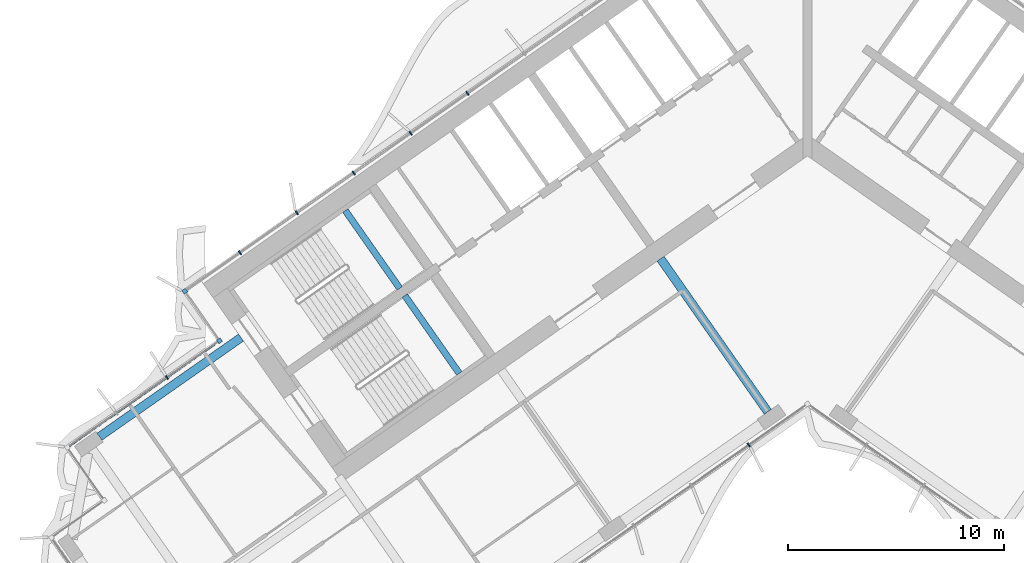
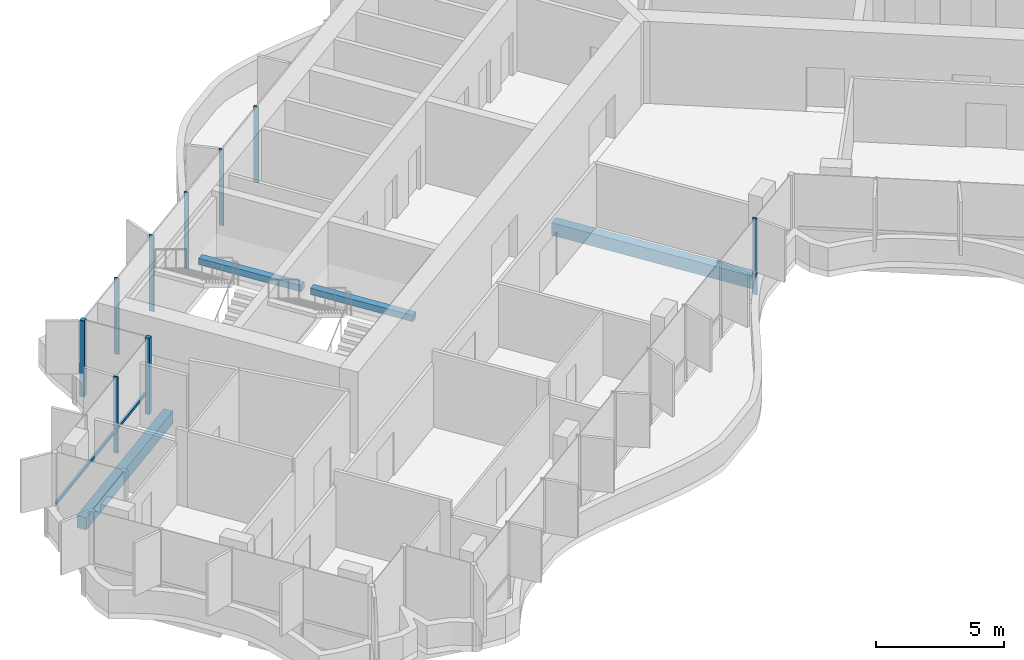
# One storey, part 4 of 21: 10 members, 4 beams, 2 elements without a shape of their own.
"""IFC4 building model written with IfcOpenShell, lengths in metres."""

from ifc_helpers import new_model, si_unit, direction, frame, origin, origin_2d, place, context, subcontext, project, spatial, rectangle, extrude, material, material_profile, profile_set, type_object, element, aggregate, save


model = new_model("IFC4")

# Units and contexts
model_context = context("Model", 3, precision=1e-05, world=origin(), true_north=direction((0.0, 1.0)))
body_context = subcontext(model_context, "Body", "Model", "MODEL_VIEW")
ifc_project = project(units=[si_unit("LENGTHUNIT", "METRE"), si_unit("AREAUNIT", "SQUARE_METRE"), si_unit("VOLUMEUNIT", "CUBIC_METRE"), si_unit("PLANEANGLEUNIT", "RADIAN"), si_unit("MASSUNIT", "GRAM", prefix="KILO")], contexts=[model_context])

# Site, building, storey
site_placement = place(None, origin())
site = spatial("IfcSite", under=ifc_project, at=site_placement, CompositionType="ELEMENT")
building_placement = place(site_placement, origin())
building = spatial("IfcBuilding", under=site, at=building_placement, Name="Tel Ilan Convention Tower", CompositionType="ELEMENT")
storey_placement = place(building_placement, frame((0.0, 0.0, 210.0)))
storey = spatial("IfcBuildingStorey", under=building, at=storey_placement, Name="L49", CompositionType="ELEMENT", Elevation=210.0)

# Beams
ifc_material_1 = material(Name="Concrete C40/50", Category="concrete")
ifc_material_profile_1 = material_profile(ifc_material_1, rectangle(XDim=0.39990234375, YDim=0.60009765625, at=origin_2d()), Name="RC 400x600")
ifc_profile_set_1 = profile_set([ifc_material_profile_1], Name="Concrete C40/50")
beam_type_1 = type_object("IfcBeamType", Name="Beam RC 400x600 Concrete C40/50", PredefinedType="BEAM", material=ifc_profile_set_1)
beam_1_placement = place(storey_placement, frame((-32.771484375, -14.21826171875, -0.580078125), z_axis=(0.819151624752, 0.573577035512, 0.0), x_axis=(-0.573577035512, 0.819151624752, 0.0)))
element("IfcBeam", 1, at=beam_1_placement, inside=storey, type_object=beam_type_1, Name="L49 beam W-W-BC-core", PredefinedType="BEAM", context=body_context, shape_type="SweptSolid", body=[
    extrude(rectangle(XDim=0.39990234375, YDim=0.60009765625, at=origin_2d()), origin(), (0.0, 0.0, 1.0), 8.0),
])
beam_2_placement = place(storey_placement, frame((-1.83740234375, -13.06689453125, -0.580078125), z_axis=(-0.573574099654, 0.819153680457, 0.0), x_axis=(-0.819153680457, -0.573574099654, 0.0)))
element("IfcBeam", 2, at=beam_2_placement, inside=storey, type_object=beam_type_1, Name="L49 beam W-W-F1-core", PredefinedType="BEAM", context=body_context, shape_type="SweptSolid", body=[
    extrude(rectangle(XDim=0.39990234375, YDim=0.60009765625, at=origin_2d()), origin(), (0.0, 0.0, 1.0), 8.64990234375),
])

# Curtain wall, members
ifc_material_2 = material(Name="Aluminium, bronze anodised", Category="aluminium")
curtain_wall_type_1 = type_object("IfcCurtainWallType", Name="CW2 STICK CURTAIN WALL, SPANDREL PANELS", PredefinedType="NOTDEFINED", material=ifc_material_2)
curtain_wall_1_placement = place(storey_placement, origin())
curtain_wall_1 = element("IfcCurtainWall", 3, at=curtain_wall_1_placement, inside=storey, type_object=curtain_wall_type_1, Name="Curtain wall CW2-38.01", PredefinedType="NOTDEFINED")
ifc_material_3 = material(Name="Aluminium, bronze anodised", Category="aluminium")
ifc_material_profile_2 = material_profile(ifc_material_3, rectangle(XDim=0.199951171875, YDim=0.199951171875, at=origin_2d()), Name="CW CORNER MULLION 200x200")
ifc_profile_set_2 = profile_set([ifc_material_profile_2], Name="Aluminium, bronze anodised")
member_type_1 = type_object("IfcMemberType", Name="CW CORNER MULLION 200x200", PredefinedType="MULLION", material=ifc_profile_set_2)
member_1_placement = place(storey_placement, frame((-28.819580078125, -7.483642578125, 0.0), z_axis=(0.0, 0.0, 1.0), x_axis=(-0.819152044289, -0.573576436351, 0.0)))
member_1 = element("IfcMember", 4, at=member_1_placement, type_object=member_type_1, Name="Corner mullion", PredefinedType="MULLION", context=body_context, shape_type="SweptSolid", body=[
    extrude(rectangle(XDim=0.199951171875, YDim=0.199951171875, at=origin_2d()), origin(), (0.0, 0.0, 1.0), 3.6201171875),
])
member_2_placement = place(storey_placement, frame((-27.213623046875, -9.77734375, 0.0), z_axis=(0.0, 0.0, 1.0), x_axis=(0.573576436351, -0.819152044289, 0.0)))
member_2 = element("IfcMember", 5, at=member_2_placement, type_object=member_type_1, Name="Corner mullion", PredefinedType="MULLION", context=body_context, shape_type="SweptSolid", body=[
    extrude(rectangle(XDim=0.199951171875, YDim=0.199951171875, at=origin_2d()), origin(), (0.0, 0.0, 1.0), 3.6201171875),
])
ifc_material_4 = material(Name="Aluminium, bronze anodised", Category="aluminium")
ifc_material_profile_3 = material_profile(ifc_material_4, rectangle(XDim=0.06005859375, YDim=0.199951171875, at=origin_2d()), Name="CW MULLION 60x200")
ifc_profile_set_3 = profile_set([ifc_material_profile_3], Name="Aluminium, bronze anodised")
member_type_2 = type_object("IfcMemberType", Name="CW MULLION 60x200", PredefinedType="MULLION", material=ifc_profile_set_3)
member_3_placement = place(storey_placement, frame((-15.73828125, 1.676025390625, 0.0), z_axis=(0.0, 0.0, 1.0), x_axis=(-0.819152044289, -0.573576436351, 0.0)))
member_3 = element("IfcMember", 6, at=member_3_placement, type_object=member_type_2, Name="Mullion", PredefinedType="MULLION", context=body_context, shape_type="SweptSolid", body=[
    extrude(rectangle(XDim=0.06005859375, YDim=0.199951171875, at=origin_2d()), origin(), (0.0, 0.0, 1.0), 3.6201171875),
])
member_4_placement = place(storey_placement, frame((-18.37109375, -0.16748046875, 0.0), z_axis=(0.0, 0.0, 1.0), x_axis=(-0.819152044289, -0.573576436351, 0.0)))
member_4 = element("IfcMember", 7, at=member_4_placement, type_object=member_type_2, Name="Mullion", PredefinedType="MULLION", context=body_context, shape_type="SweptSolid", body=[
    extrude(rectangle(XDim=0.06005859375, YDim=0.199951171875, at=origin_2d()), origin(), (0.0, 0.0, 1.0), 3.6201171875),
])
member_5_placement = place(storey_placement, frame((-21.003662109375, -2.0107421875, 0.0), z_axis=(0.0, 0.0, 1.0), x_axis=(-0.819152044289, -0.573576436351, 0.0)))
member_5 = element("IfcMember", 8, at=member_5_placement, type_object=member_type_2, Name="Mullion", PredefinedType="MULLION", context=body_context, shape_type="SweptSolid", body=[
    extrude(rectangle(XDim=0.06005859375, YDim=0.199951171875, at=origin_2d()), origin(), (0.0, 0.0, 1.0), 3.6201171875),
])
member_6_placement = place(storey_placement, frame((-23.63623046875, -3.854248046875, 0.0), z_axis=(0.0, 0.0, 1.0), x_axis=(-0.819152044289, -0.573576436351, 0.0)))
member_6 = element("IfcMember", 9, at=member_6_placement, type_object=member_type_2, Name="Mullion", PredefinedType="MULLION", context=body_context, shape_type="SweptSolid", body=[
    extrude(rectangle(XDim=0.06005859375, YDim=0.199951171875, at=origin_2d()), origin(), (0.0, 0.0, 1.0), 3.6201171875),
])
member_7_placement = place(storey_placement, frame((-26.268798828125, -5.697509765625, 0.0), z_axis=(0.0, 0.0, 1.0), x_axis=(-0.819152044289, -0.573576436351, 0.0)))
member_7 = element("IfcMember", 10, at=member_7_placement, type_object=member_type_2, Name="Mullion", PredefinedType="MULLION", context=body_context, shape_type="SweptSolid", body=[
    extrude(rectangle(XDim=0.06005859375, YDim=0.199951171875, at=origin_2d()), origin(), (0.0, 0.0, 1.0), 3.6201171875),
])
aggregate(curtain_wall_1, [member_3, member_4, member_5, member_6, member_7, member_1, member_2])

ifc_material_5 = material(Name="Aluminium, bronze anodised", Category="aluminium")
curtain_wall_type_2 = type_object("IfcCurtainWallType", Name="CW4 STICK CURTAIN WALL, OFFICE TINTED GLASS", PredefinedType="NOTDEFINED", material=ifc_material_5)
curtain_wall_2_placement = place(storey_placement, origin())
curtain_wall_2 = element("IfcCurtainWall", 11, at=curtain_wall_2_placement, inside=storey, type_object=curtain_wall_type_2, Name="Curtain wall CW4-38.02", PredefinedType="NOTDEFINED")
member_8_placement = place(storey_placement, frame((-29.6435546875, -11.478759765625, 0.0), z_axis=(0.0, 0.0, 1.0), x_axis=(-0.819152044289, -0.573576436351, 0.0)))
member_8 = element("IfcMember", 12, at=member_8_placement, type_object=member_type_2, Name="Mullion", PredefinedType="MULLION", context=body_context, shape_type="SweptSolid", body=[
    extrude(rectangle(XDim=0.06005859375, YDim=0.199951171875, at=origin_2d()), origin(), (0.0, 0.0, 1.0), 3.6201171875),
])
member_9_placement = place(storey_placement, frame((-2.719482421875, -14.60009765625, 0.0), z_axis=(0.0, 0.0, 1.0), x_axis=(0.819152044289, 0.573576436351, 0.0)))
member_9 = element("IfcMember", 13, at=member_9_placement, type_object=member_type_2, Name="Mullion", PredefinedType="MULLION", context=body_context, shape_type="SweptSolid", body=[
    extrude(rectangle(XDim=0.06005859375, YDim=0.199951171875, at=origin_2d()), origin(), (0.0, 0.0, 1.0), 3.6201171875),
])
ifc_material_6 = material(Name="Aluminium, bronze anodised", Category="aluminium")
ifc_material_profile_4 = material_profile(ifc_material_6, rectangle(XDim=0.10009765625, YDim=0.1201171875, at=origin_2d()), Name="CW TRANSOM 100x120")
ifc_profile_set_4 = profile_set([ifc_material_profile_4], Name="Aluminium, bronze anodised")
member_type_3 = type_object("IfcMemberType", Name="CW TRANSOM 100x120", PredefinedType="USERDEFINED", material=ifc_profile_set_4)
member_10_placement = place(storey_placement, frame((-27.459228515625, -9.94921875, 1.10009765625), z_axis=(-0.819149386388, -0.573580232209, 0.0), x_axis=(0.573580232209, -0.819149386388, 0.0)))
member_10 = element("IfcMember", 14, at=member_10_placement, type_object=member_type_3, Name="Transom", ObjectType="TRANSOM", PredefinedType="USERDEFINED", context=body_context, shape_type="SweptSolid", body=[
    extrude(rectangle(XDim=0.10009765625, YDim=0.1201171875, at=origin_2d()), origin(), (0.0, 0.0, 1.0), 8.199951171875),
])
aggregate(curtain_wall_2, [member_8, member_10, member_9])

# Beams
ifc_material_7 = material(Name="Concrete C40/50", Category="concrete")
ifc_material_profile_5 = material_profile(ifc_material_7, rectangle(XDim=0.300048828125, YDim=0.300048828125, at=origin_2d()), Name="RC 300x300")
ifc_profile_set_5 = profile_set([ifc_material_profile_5], Name="Concrete C40/50")
beam_type_2 = type_object("IfcBeamType", Name="Landing Beam RC 300x300 Concrete C40/50", PredefinedType="BEAM", material=ifc_profile_set_5)
beam_3_placement = place(storey_placement, frame((-18.870361328125, -7.353515625, 1.60009765625), z_axis=(-0.57354426506, 0.819174569928, 0.0), x_axis=(-0.819174569928, -0.57354426506, 0.0)))
element("IfcBeam", 15, at=beam_3_placement, inside=storey, type_object=beam_type_2, Name="S1 landing beam L49.1", PredefinedType="BEAM", context=body_context, shape_type="SweptSolid", body=[
    extrude(rectangle(XDim=0.300048828125, YDim=0.300048828125, at=origin_2d()), origin(), (0.0, 0.0, 1.0), 4.400146484375),
])
beam_4_placement = place(storey_placement, frame((-16.1171875, -11.285400390625, 1.60009765625), z_axis=(-0.573570334442, 0.819156316858, 0.0), x_axis=(-0.819156316858, -0.573570334442, 0.0)))
element("IfcBeam", 16, at=beam_4_placement, inside=storey, type_object=beam_type_2, Name="S2 landing beam L49.1", PredefinedType="BEAM", context=body_context, shape_type="SweptSolid", body=[
    extrude(rectangle(XDim=0.300048828125, YDim=0.300048828125, at=origin_2d()), origin(), (0.0, 0.0, 1.0), 4.39990234375),
])

save(model, "model.ifc")
